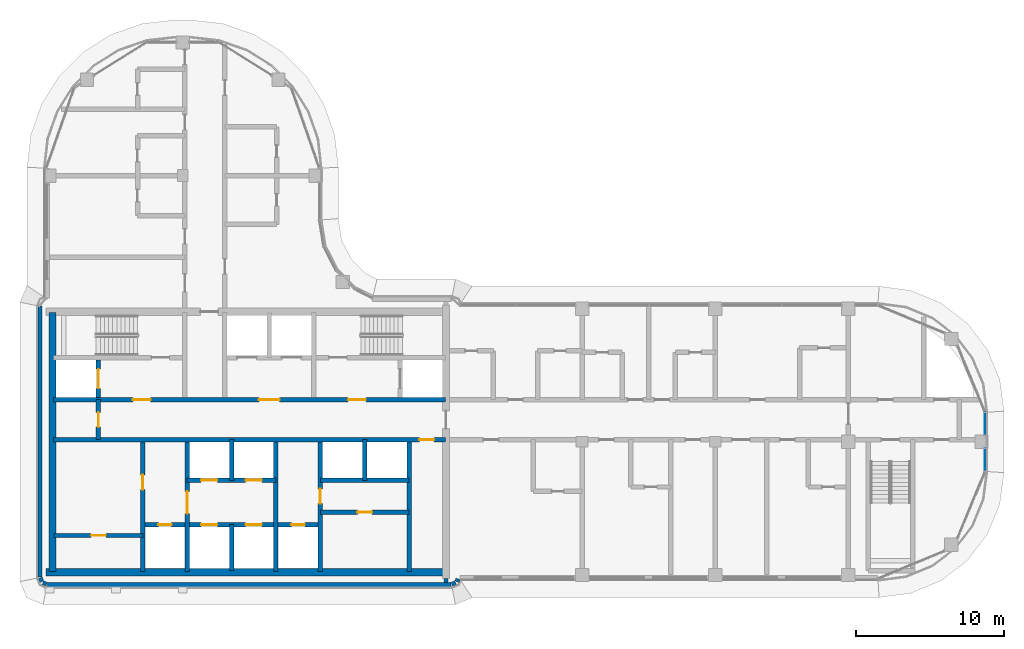
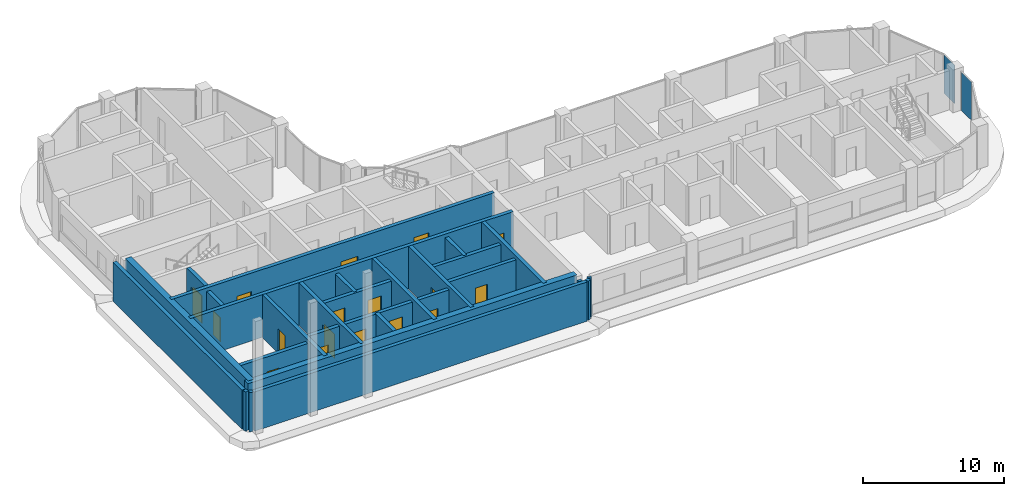
# One storey, part 10 of 20: 26 walls, 17 doors, 2 plates, 17 openings, 2 elements without a shape of their own.
"""IFC4 building model written with IfcOpenShell, lengths in metres."""

from ifc_helpers import new_model, si_unit, direction, frame, frame_2d, origin, origin_2d, place, context, subcontext, project, spatial, rectangle, extrude, material, layer, layer_set, type_object, element, fill, aggregate, save


model = new_model("IFC4")

# Units and contexts
model_context = context("Model", 3, precision=1e-05, world=origin(), true_north=direction((0.0, 1.0)))
body_context = subcontext(model_context, "Body", "Model", "MODEL_VIEW")
ifc_project = project(units=[si_unit("LENGTHUNIT", "METRE"), si_unit("AREAUNIT", "SQUARE_METRE"), si_unit("VOLUMEUNIT", "CUBIC_METRE"), si_unit("PLANEANGLEUNIT", "RADIAN"), si_unit("MASSUNIT", "GRAM", prefix="KILO")], contexts=[model_context])

# Site, building, storey
site_placement = place(None, origin())
site = spatial("IfcSite", under=ifc_project, at=site_placement, CompositionType="ELEMENT")
building_placement = place(site_placement, origin())
building = spatial("IfcBuilding", under=site, at=building_placement, Name="Ogive Portal Towers", CompositionType="ELEMENT")
storey_placement = place(building_placement, frame((0.0, 0.0, 214.300048828125)))
storey = spatial("IfcBuildingStorey", under=building, at=storey_placement, Name="L53", CompositionType="ELEMENT", Elevation=214.300048828125)

# Curtain wall, plate
ifc_material_1 = material(Name="Glass, clear low-iron insulated glazing", Category="glass")
curtain_wall_type = type_object("IfcCurtainWallType", Name="CW FRONT RIBBON 4500", PredefinedType="NOTDEFINED", material=ifc_material_1)
curtain_wall_1_placement = place(storey_placement, origin())
curtain_wall_1 = element("IfcCurtainWall", 1, at=curtain_wall_1_placement, inside=storey, type_object=curtain_wall_type, Name="A:L53:f23:cw0~0", PredefinedType="NOTDEFINED")
ifc_layer_1 = layer(ifc_material_1, 0.028076171875)
ifc_layer_set_1 = layer_set([ifc_layer_1], Name="CW PANEL IGU 28")
plate_type = type_object("IfcPlateType", Name="CW PANEL IGU 28", PredefinedType="CURTAIN_PANEL", material=ifc_layer_set_1)
plate_1_placement = place(storey_placement, frame((94.739990234375, 29.282958984375, 0.0), z_axis=(0.0, 0.0, 1.0), x_axis=(0.0, 1.0, 0.0)))
plate_1 = element("IfcPlate", 2, at=plate_1_placement, type_object=plate_type, Name="panel", PredefinedType="CURTAIN_PANEL", context=body_context, shape_type="SweptSolid", body=[
    extrude(rectangle(XDim=1.47412109375, YDim=0.028076171875, at=origin_2d()), origin(), (0.0, 0.0, 1.0), 3.340087890625),
])
aggregate(curtain_wall_1, [plate_1])

curtain_wall_2_placement = place(storey_placement, origin())
curtain_wall_2 = element("IfcCurtainWall", 3, at=curtain_wall_2_placement, inside=storey, type_object=curtain_wall_type, Name="A:L53:f23:cw0~1", PredefinedType="NOTDEFINED")
plate_2_placement = place(storey_placement, frame((94.739990234375, 31.717041015625, 0.0), z_axis=(0.0, 0.0, 1.0), x_axis=(0.0, 1.0, 0.0)))
plate_2 = element("IfcPlate", 4, at=plate_2_placement, type_object=plate_type, Name="panel", PredefinedType="CURTAIN_PANEL", context=body_context, shape_type="SweptSolid", body=[
    extrude(rectangle(XDim=1.47412109375, YDim=0.028076171875, at=origin_2d()), origin(), (0.0, 0.0, 1.0), 3.340087890625),
])
aggregate(curtain_wall_2, [plate_2])

# Wall, opening, door
ifc_material_2 = material(Name="Concrete C60/75", Category="concrete")
ifc_layer_2 = layer(ifc_material_2, 0.300048828125)
ifc_layer_set_2 = layer_set([ifc_layer_2], Name="CORE WALL 300 C60")
wall_type_1 = type_object("IfcWallType", Name="CORE WALL 300 C60", PredefinedType="SHEAR", material=ifc_layer_set_2)
wall_1_placement = place(storey_placement, frame((37.800048828125, 21.75, 0.0), z_axis=(0.0, 0.0, 1.0), x_axis=(0.0, 1.0, 0.0)))
wall_1 = element("IfcWall", 5, at=wall_1_placement, inside=storey, type_object=wall_type_1, Name="Core wall X1 L53", PredefinedType="SHEAR", context=body_context, shape_type="SweptSolid", body=[
    extrude(rectangle(XDim=8.75, YDim=0.300048828125, at=frame_2d((4.375, 0.0))), origin(), (0.0, 0.0, 1.0), 3.699951171875),
])
opening_1_placement = place(wall_1_placement, frame((5.52490234375, 0.0, 0.0)))
opening_1 = element("IfcOpeningElement", 6, at=opening_1_placement, cuts=wall_1, Name="Opening D24-020", PredefinedType="OPENING", context=body_context, shape_type="SweptSolid", body=[
    extrude(rectangle(XDim=1.0, YDim=2.10009765625, at=frame_2d((0.5, 1.050048828125))), frame((0.0, 0.16015625, 0.0), z_axis=(0.0, -1.0, 0.0), x_axis=(1.0, 0.0, 0.0)), (0.0, 0.0, 1.0), 0.320068359375),
])
ifc_material_3 = material(Name="Steel fire door", Category="steel")
door_type_1 = type_object("IfcDoorType", Name="DT-SWING-1000x2100-FD90S", OperationType="SINGLE_SWING_LEFT", PredefinedType="DOOR", material=ifc_material_3)
door_1_placement = place(opening_1_placement, origin())
door_1 = element("IfcDoor", 7, at=door_1_placement, inside=storey, type_object=door_type_1, Name="Door D24-020", OperationType="SINGLE_SWING_LEFT", OverallHeight=2.10009765625, OverallWidth=1.0, PredefinedType="DOOR", context=body_context, shape_type="SweptSolid", body=[
    extrude(rectangle(XDim=1.0, YDim=2.10009765625, at=frame_2d((0.5, 1.050048828125))), frame((0.0, 0.02490234375, 0.0), z_axis=(0.0, -1.0, 0.0), x_axis=(1.0, 0.0, 0.0)), (0.0, 0.0, 1.0), 0.050048828125),
])
fill(opening_1, door_1)

wall_2_placement = place(storey_placement, frame((40.800048828125, 21.75, 0.0), z_axis=(0.0, 0.0, 1.0), x_axis=(0.0, 1.0, 0.0)))
wall_2 = element("IfcWall", 8, at=wall_2_placement, inside=storey, type_object=wall_type_1, Name="Core wall X2 L53", PredefinedType="SHEAR", context=body_context, shape_type="SweptSolid", body=[
    extrude(rectangle(XDim=8.75, YDim=0.300048828125, at=frame_2d((4.375, 0.0))), origin(), (0.0, 0.0, 1.0), 3.699951171875),
])
opening_2_placement = place(wall_2_placement, frame((3.89990234375, 0.0, 0.0)))
opening_2 = element("IfcOpeningElement", 9, at=opening_2_placement, cuts=wall_2, Name="Opening D24-001", PredefinedType="OPENING", context=body_context, shape_type="SweptSolid", body=[
    extrude(rectangle(XDim=1.5, YDim=2.10009765625, at=frame_2d((0.75, 1.050048828125))), frame((0.0, 0.16015625, 0.0), z_axis=(0.0, -1.0, 0.0), x_axis=(1.0, 0.0, 0.0)), (0.0, 0.0, 1.0), 0.320068359375),
])
door_type_2 = type_object("IfcDoorType", Name="DT-SWING-1500x2100-FD90S", OperationType="SINGLE_SWING_LEFT", PredefinedType="DOOR", material=ifc_material_3)
door_2_placement = place(opening_2_placement, origin())
door_2 = element("IfcDoor", 10, at=door_2_placement, inside=storey, type_object=door_type_2, Name="Door D24-001", OperationType="SINGLE_SWING_RIGHT", OverallHeight=2.10009765625, OverallWidth=1.5, PredefinedType="DOOR", context=body_context, shape_type="SweptSolid", body=[
    extrude(rectangle(XDim=1.5, YDim=2.10009765625, at=frame_2d((0.75, 1.050048828125))), frame((0.0, 0.02490234375, 0.0), z_axis=(0.0, -1.0, 0.0), x_axis=(1.0, 0.0, 0.0)), (0.0, 0.0, 1.0), 0.050048828125),
])
fill(opening_2, door_2)

# Wall
wall_3_placement = place(storey_placement, frame((46.800048828125, 21.75, 0.0), z_axis=(0.0, 0.0, 1.0), x_axis=(0.0, 1.0, 0.0)))
element("IfcWall", 11, at=wall_3_placement, inside=storey, type_object=wall_type_1, Name="Core wall X3 L53", PredefinedType="SHEAR", context=body_context, shape_type="SweptSolid", body=[
    extrude(rectangle(XDim=8.75, YDim=0.300048828125, at=frame_2d((4.375, 0.0))), origin(), (0.0, 0.0, 1.0), 3.699951171875),
])

# Wall, opening, door
wall_4_placement = place(storey_placement, frame((49.800048828125, 21.75, 0.0), z_axis=(0.0, 0.0, 1.0), x_axis=(0.0, 1.0, 0.0)))
wall_4 = element("IfcWall", 12, at=wall_4_placement, inside=storey, type_object=wall_type_1, Name="Core wall X4 L53", PredefinedType="SHEAR", context=body_context, shape_type="SweptSolid", body=[
    extrude(rectangle(XDim=8.75, YDim=0.300048828125, at=frame_2d((4.375, 0.0))), origin(), (0.0, 0.0, 1.0), 3.699951171875),
])
opening_3_placement = place(wall_4_placement, frame((4.574951171875, 0.0, 0.0)))
opening_3 = element("IfcOpeningElement", 13, at=opening_3_placement, cuts=wall_4, Name="Opening D24-022", PredefinedType="OPENING", context=body_context, shape_type="SweptSolid", body=[
    extrude(rectangle(XDim=1.0, YDim=2.10009765625, at=frame_2d((0.5, 1.050048828125))), frame((0.0, 0.16015625, 0.0), z_axis=(0.0, -1.0, 0.0), x_axis=(1.0, 0.0, 0.0)), (0.0, 0.0, 1.0), 0.320068359375),
])
door_3_placement = place(opening_3_placement, origin())
door_3 = element("IfcDoor", 14, at=door_3_placement, inside=storey, type_object=door_type_1, Name="Door D24-022", OperationType="SINGLE_SWING_LEFT", OverallHeight=2.10009765625, OverallWidth=1.0, PredefinedType="DOOR", context=body_context, shape_type="SweptSolid", body=[
    extrude(rectangle(XDim=1.0, YDim=2.10009765625, at=frame_2d((0.5, 1.050048828125))), frame((0.0, 0.02490234375, 0.0), z_axis=(0.0, -1.0, 0.0), x_axis=(1.0, 0.0, 0.0)), (0.0, 0.0, 1.0), 0.050048828125),
])
fill(opening_3, door_3)

# Wall
wall_5_placement = place(storey_placement, frame((55.800048828125, 21.75, 0.0), z_axis=(0.0, 0.0, 1.0), x_axis=(0.0, 1.0, 0.0)))
element("IfcWall", 15, at=wall_5_placement, inside=storey, type_object=wall_type_1, Name="Core wall X5 L53", PredefinedType="SHEAR", context=body_context, shape_type="SweptSolid", body=[
    extrude(rectangle(XDim=8.75, YDim=0.300048828125, at=frame_2d((4.375, 0.0))), origin(), (0.0, 0.0, 1.0), 3.699951171875),
])

# Wall, opening, door
wall_6_placement = place(storey_placement, frame((31.75, 30.64990234375, 0.0), z_axis=(0.0, 0.0, 1.0), x_axis=(1.0, 0.0, 0.0)))
wall_6 = element("IfcWall", 16, at=wall_6_placement, inside=storey, type_object=wall_type_1, Name="Core wall Y1 L53", PredefinedType="SHEAR", context=body_context, shape_type="SweptSolid", body=[
    extrude(rectangle(XDim=26.5, YDim=0.300048828125, at=frame_2d((13.25, 0.0))), origin(), (0.0, 0.0, 1.0), 3.699951171875),
])
opening_4_placement = place(wall_6_placement, frame((24.75, 0.0, 0.0)))
opening_4 = element("IfcOpeningElement", 17, at=opening_4_placement, cuts=wall_6, Name="Opening D24-009", PredefinedType="OPENING", context=body_context, shape_type="SweptSolid", body=[
    extrude(rectangle(XDim=1.0, YDim=2.10009765625, at=frame_2d((0.5, 1.050048828125))), frame((0.0, 0.16015625, 0.0), z_axis=(0.0, -1.0, 0.0), x_axis=(1.0, 0.0, 0.0)), (0.0, 0.0, 1.0), 0.320068359375),
])
door_4_placement = place(opening_4_placement, origin())
door_4 = element("IfcDoor", 18, at=door_4_placement, inside=storey, type_object=door_type_1, Name="Door D24-009", OperationType="SINGLE_SWING_LEFT", OverallHeight=2.10009765625, OverallWidth=1.0, PredefinedType="DOOR", context=body_context, shape_type="SweptSolid", body=[
    extrude(rectangle(XDim=1.0, YDim=2.10009765625, at=frame_2d((0.5, 1.050048828125))), frame((0.0, 0.02490234375, 0.0), z_axis=(0.0, -1.0, 0.0), x_axis=(1.0, 0.0, 0.0)), (0.0, 0.0, 1.0), 0.050048828125),
])
fill(opening_4, door_4)

# Wall, openings, doors
wall_7_placement = place(storey_placement, frame((31.75, 33.35009765625, 0.0), z_axis=(0.0, 0.0, 1.0), x_axis=(1.0, 0.0, 0.0)))
wall_7 = element("IfcWall", 19, at=wall_7_placement, inside=storey, type_object=wall_type_1, Name="Core wall Y2 L53", PredefinedType="SHEAR", context=body_context, shape_type="SweptSolid", body=[
    extrude(rectangle(XDim=26.5, YDim=0.300048828125, at=frame_2d((13.25, 0.0))), origin(), (0.0, 0.0, 1.0), 3.699951171875),
])
opening_5_placement = place(wall_7_placement, frame((13.89990234375, 0.0, 0.0)))
opening_5 = element("IfcOpeningElement", 20, at=opening_5_placement, cuts=wall_7, Name="Opening D24-002", PredefinedType="OPENING", context=body_context, shape_type="SweptSolid", body=[
    extrude(rectangle(XDim=1.39990234375, YDim=2.10009765625, at=frame_2d((0.699951171875, 1.050048828125))), frame((0.0, 0.16015625, 0.0), z_axis=(0.0, -1.0, 0.0), x_axis=(1.0, 0.0, 0.0)), (0.0, 0.0, 1.0), 0.320068359375),
])
opening_6_placement = place(wall_7_placement, frame((5.375, 0.0, 0.0)))
opening_6 = element("IfcOpeningElement", 21, at=opening_6_placement, cuts=wall_7, Name="Opening D24-003", PredefinedType="OPENING", context=body_context, shape_type="SweptSolid", body=[
    extrude(rectangle(XDim=1.199951171875, YDim=2.10009765625, at=frame_2d((0.60009765625, 1.050048828125))), frame((0.0, 0.16015625, 0.0), z_axis=(0.0, -1.0, 0.0), x_axis=(1.0, 0.0, 0.0)), (0.0, 0.0, 1.0), 0.320068359375),
])
opening_7_placement = place(wall_7_placement, frame((19.925048828125, 0.0, 0.0)))
opening_7 = element("IfcOpeningElement", 22, at=opening_7_placement, cuts=wall_7, Name="Opening D24-004", PredefinedType="OPENING", context=body_context, shape_type="SweptSolid", body=[
    extrude(rectangle(XDim=1.199951171875, YDim=2.10009765625, at=frame_2d((0.60009765625, 1.050048828125))), frame((0.0, 0.16015625, 0.0), z_axis=(0.0, -1.0, 0.0), x_axis=(1.0, 0.0, 0.0)), (0.0, 0.0, 1.0), 0.320068359375),
])
door_type_3 = type_object("IfcDoorType", Name="DT-SWING-1200x2100-FD90S", OperationType="SINGLE_SWING_LEFT", PredefinedType="DOOR", material=ifc_material_3)
door_5_placement = place(opening_6_placement, origin())
door_5 = element("IfcDoor", 23, at=door_5_placement, inside=storey, type_object=door_type_3, Name="Door D24-003", OperationType="SINGLE_SWING_LEFT", OverallHeight=2.10009765625, OverallWidth=1.199951171875, PredefinedType="DOOR", context=body_context, shape_type="SweptSolid", body=[
    extrude(rectangle(XDim=1.199951171875, YDim=2.10009765625, at=frame_2d((0.60009765625, 1.050048828125))), frame((0.0, 0.02490234375, 0.0), z_axis=(0.0, -1.0, 0.0), x_axis=(1.0, 0.0, 0.0)), (0.0, 0.0, 1.0), 0.050048828125),
])
fill(opening_6, door_5)
door_6_placement = place(opening_7_placement, origin())
door_6 = element("IfcDoor", 24, at=door_6_placement, inside=storey, type_object=door_type_3, Name="Door D24-004", OperationType="SINGLE_SWING_RIGHT", OverallHeight=2.10009765625, OverallWidth=1.199951171875, PredefinedType="DOOR", context=body_context, shape_type="SweptSolid", body=[
    extrude(rectangle(XDim=1.199951171875, YDim=2.10009765625, at=frame_2d((0.60009765625, 1.050048828125))), frame((0.0, 0.02490234375, 0.0), z_axis=(0.0, -1.0, 0.0), x_axis=(1.0, 0.0, 0.0)), (0.0, 0.0, 1.0), 0.050048828125),
])
fill(opening_7, door_6)
door_type_4 = type_object("IfcDoorType", Name="DT-SWING-1400x2100-FD90S", OperationType="SINGLE_SWING_LEFT", PredefinedType="DOOR", material=ifc_material_3)
door_7_placement = place(opening_5_placement, origin())
door_7 = element("IfcDoor", 25, at=door_7_placement, inside=storey, type_object=door_type_4, Name="Door D24-002", OperationType="SINGLE_SWING_RIGHT", OverallHeight=2.10009765625, OverallWidth=1.39990234375, PredefinedType="DOOR", context=body_context, shape_type="SweptSolid", body=[
    extrude(rectangle(XDim=1.39990234375, YDim=2.10009765625, at=frame_2d((0.699951171875, 1.050048828125))), frame((0.0, 0.02490234375, 0.0), z_axis=(0.0, -1.0, 0.0), x_axis=(1.0, 0.0, 0.0)), (0.0, 0.0, 1.0), 0.050048828125),
])
fill(opening_5, door_7)

# Wall, opening, door
wall_8_placement = place(storey_placement, frame((34.800048828125, 33.5, 0.0), z_axis=(0.0, 0.0, 1.0), x_axis=(0.0, 1.0, 0.0)))
wall_8 = element("IfcWall", 26, at=wall_8_placement, inside=storey, type_object=wall_type_1, Name="Core wall X8 L53", PredefinedType="SHEAR", context=body_context, shape_type="SweptSolid", body=[
    extrude(rectangle(XDim=2.550048828125, YDim=0.300048828125, at=frame_2d((1.27490234375, 0.0))), origin(), (0.0, 0.0, 1.0), 3.699951171875),
])
opening_8_placement = place(wall_8_placement, frame((0.625, 0.0, 0.0)))
opening_8 = element("IfcOpeningElement", 27, at=opening_8_placement, cuts=wall_8, Name="Opening D24-018", PredefinedType="OPENING", context=body_context, shape_type="SweptSolid", body=[
    extrude(rectangle(XDim=1.300048828125, YDim=2.39990234375, at=frame_2d((0.64990234375, 1.199951171875))), frame((0.0, 0.16015625, 0.0), z_axis=(0.0, -1.0, 0.0), x_axis=(1.0, 0.0, 0.0)), (0.0, 0.0, 1.0), 0.320068359375),
])
ifc_material_4 = material(Name="Stainless steel", Category="steel")
door_type_5 = type_object("IfcDoorType", Name="DT-LD-1300x2400", OperationType="SLIDING_TO_LEFT", PredefinedType="DOOR", material=ifc_material_4)
door_8_placement = place(opening_8_placement, origin())
door_8 = element("IfcDoor", 28, at=door_8_placement, inside=storey, type_object=door_type_5, Name="Door D24-018", OperationType="SLIDING_TO_LEFT", OverallHeight=2.39990234375, OverallWidth=1.300048828125, PredefinedType="DOOR", context=body_context, shape_type="SweptSolid", body=[
    extrude(rectangle(XDim=1.300048828125, YDim=2.39990234375, at=frame_2d((0.64990234375, 1.199951171875))), frame((0.0, 0.02490234375, 0.0), z_axis=(0.0, -1.0, 0.0), x_axis=(1.0, 0.0, 0.0)), (0.0, 0.0, 1.0), 0.050048828125),
])
fill(opening_8, door_8)

# Walls
ifc_layer_3 = layer(ifc_material_2, 0.5)
ifc_layer_set_3 = layer_set([ifc_layer_3], Name="CORE WALL 500 C60")
wall_type_2 = type_object("IfcWallType", Name="CORE WALL 500 C60", PredefinedType="SHEAR", material=ifc_layer_set_3)
wall_9_placement = place(storey_placement, frame((31.699951171875, 21.75, 0.0), z_axis=(0.0, 0.0, 1.0), x_axis=(0.0, 1.0, 0.0)))
element("IfcWall", 29, at=wall_9_placement, inside=storey, type_object=wall_type_2, Name="Core wall W L53", PredefinedType="SHEAR", context=body_context, shape_type="SweptSolid", body=[
    extrude(rectangle(XDim=17.5, YDim=0.5, at=frame_2d((8.75, 0.0))), origin(), (0.0, 0.0, 1.0), 3.699951171875),
])
wall_10_placement = place(storey_placement, frame((31.25, 21.699951171875, 0.0), z_axis=(0.0, 0.0, 1.0), x_axis=(1.0, 0.0, 0.0)))
element("IfcWall", 30, at=wall_10_placement, inside=storey, type_object=wall_type_2, Name="Core wall S L53", PredefinedType="SHEAR", context=body_context, shape_type="SweptSolid", body=[
    extrude(rectangle(XDim=27.0, YDim=0.5, at=frame_2d((13.5, 0.0))), origin(), (0.0, 0.0, 1.0), 3.699951171875),
])
ifc_material_5 = material(Name="Limestone cladding on lightweight block wall", Category="masonry")
ifc_layer_4 = layer(ifc_material_5, 0.300048828125)
ifc_layer_set_4 = layer_set([ifc_layer_4], Name="EXTERNAL WALL 300 STONE")
wall_type_3 = type_object("IfcWallType", Name="EXTERNAL WALL 300 STONE", PredefinedType="SOLIDWALL", material=ifc_layer_set_4)
wall_11_placement = place(storey_placement, frame((30.85009765625, 39.669921875, 0.0), z_axis=(0.0, 0.0, 1.0), x_axis=(0.0, -1.0, 0.0)))
element("IfcWall", 31, at=wall_11_placement, inside=storey, type_object=wall_type_3, Name="A:L53:f14:r0:wall", PredefinedType="SOLIDWALL", context=body_context, shape_type="SweptSolid", body=[
    extrude(rectangle(XDim=18.310302734375, YDim=0.300048828125, at=frame_2d((9.1552734375, 0.0))), origin(), (0.0, 0.0, 1.0), 3.39990234375),
])
for number, where, z_axis, x_axis, name in (
    (32, (30.861328125, 21.30224609375, 0.0), (0.0, 0.0, 1.0), (0.38297812142, -0.923757413239, 0.0), "A:L53:f15:r0:wall"),
    (33, (31.0478515625, 20.966796875, 0.0), (0.0, 0.0, 1.0), (0.923757413239, -0.38297812142, 0.0), "A:L53:f16:r0:wall"),
):
    element("IfcWall", number, at=place(storey_placement, frame(where, z_axis=z_axis, x_axis=x_axis)), inside=storey, type_object=wall_type_3, Name=name, PredefinedType="SOLIDWALL", context=body_context, shape_type="SweptSolid", body=[
        extrude(rectangle(XDim=0.275390625, YDim=0.300048828125, at=frame_2d((0.1376953125, 0.0))), origin(), (0.0, 0.0, 1.0), 3.39990234375),
    ])
wall_12_placement = place(storey_placement, frame((31.359619140625, 20.85009765625, 0.0), z_axis=(0.0, 0.0, 1.0), x_axis=(1.0, 0.0, 0.0)))
element("IfcWall", 34, at=wall_12_placement, inside=storey, type_object=wall_type_3, Name="A:L53:f17:r0:wall", PredefinedType="SOLIDWALL", context=body_context, shape_type="SweptSolid", body=[
    extrude(rectangle(XDim=27.28076171875, YDim=0.300048828125, at=frame_2d((13.640380859375, 0.0))), origin(), (0.0, 0.0, 1.0), 3.39990234375),
])
wall_13_placement = place(storey_placement, frame((58.69775390625, 20.861328125, 0.0), z_axis=(0.0, 0.0, 1.0), x_axis=(0.923757413239, 0.38297812142, 0.0)))
element("IfcWall", 35, at=wall_13_placement, inside=storey, type_object=wall_type_3, Name="A:L53:f18:r0:wall", PredefinedType="SOLIDWALL", context=body_context, shape_type="SweptSolid", body=[
    extrude(rectangle(XDim=0.275390625, YDim=0.300048828125, at=frame_2d((0.1376953125, 0.0))), origin(), (0.0, 0.0, 1.0), 3.39990234375),
])
wall_14_placement = place(storey_placement, frame((59.033203125, 21.0478515625, 0.0), z_axis=(0.0, 0.0, 1.0), x_axis=(0.383262727373, 0.923639367831, 0.0)))
element("IfcWall", 36, at=wall_14_placement, inside=storey, type_object=wall_type_3, Name="A:L53:f19:r0:wall", PredefinedType="SOLIDWALL", context=body_context, shape_type="SweptSolid", body=[
    extrude(rectangle(XDim=0.205078125, YDim=0.300048828125, at=frame_2d((0.1025390625, 0.0))), origin(), (0.0, 0.0, 1.0), 3.39990234375),
])

# Wall, opening, door
ifc_material_6 = material(Name="Gypsum board partition on steel studs", Category="steel")
ifc_layer_5 = layer(ifc_material_6, 0.300048828125)
ifc_layer_set_5 = layer_set([ifc_layer_5], Name="WT-PART-300")
wall_type_4 = type_object("IfcWallType", Name="WT-PART-300", PredefinedType="PARTITIONING", material=ifc_layer_set_5)
wall_15_placement = place(storey_placement, frame((31.800048828125, 24.173095703125, 0.0), z_axis=(0.0, 0.0, 1.0), x_axis=(1.0, 0.0, 0.0)))
wall_15 = element("IfcWall", 37, at=wall_15_placement, inside=storey, type_object=wall_type_4, Name="Wall pw:001:L53", PredefinedType="PARTITIONING", context=body_context, shape_type="SweptSolid", body=[
    extrude(rectangle(XDim=6.0, YDim=0.300048828125, at=frame_2d((3.0, 0.0))), origin(), (0.0, 0.0, 1.0), 3.39990234375),
])
opening_9_placement = place(wall_15_placement, frame((2.5, 0.0, 0.0)))
opening_9 = element("IfcOpeningElement", 38, at=opening_9_placement, cuts=wall_15, Name="Opening D24-021", PredefinedType="OPENING", context=body_context, shape_type="SweptSolid", body=[
    extrude(rectangle(XDim=1.0, YDim=2.10009765625, at=frame_2d((0.5, 1.050048828125))), frame((0.0, 0.16015625, 0.0), z_axis=(0.0, -1.0, 0.0), x_axis=(1.0, 0.0, 0.0)), (0.0, 0.0, 1.0), 0.320068359375),
])
door_type_6 = type_object("IfcDoorType", Name="DT-SWING-1000x2100-FD60S", OperationType="SINGLE_SWING_LEFT", PredefinedType="DOOR", material=ifc_material_3)
door_9_placement = place(opening_9_placement, origin())
door_9 = element("IfcDoor", 39, at=door_9_placement, inside=storey, type_object=door_type_6, Name="Riser access door D24-021", OperationType="SINGLE_SWING_RIGHT", OverallHeight=2.10009765625, OverallWidth=1.0, PredefinedType="DOOR", context=body_context, shape_type="SweptSolid", body=[
    extrude(rectangle(XDim=1.0, YDim=2.10009765625, at=frame_2d((0.5, 1.050048828125))), frame((0.0, 0.02490234375, 0.0), z_axis=(0.0, -1.0, 0.0), x_axis=(1.0, 0.0, 0.0)), (0.0, 0.0, 1.0), 0.050048828125),
])
fill(opening_9, door_9)

wall_16_placement = place(storey_placement, frame((49.800048828125, 25.75, 0.0), z_axis=(0.0, 0.0, 1.0), x_axis=(1.0, 0.0, 0.0)))
wall_16 = element("IfcWall", 40, at=wall_16_placement, inside=storey, type_object=wall_type_4, Name="Wall pw:003:L53", PredefinedType="PARTITIONING", context=body_context, shape_type="SweptSolid", body=[
    extrude(rectangle(XDim=6.0, YDim=0.300048828125, at=frame_2d((3.0, 0.0))), origin(), (0.0, 0.0, 1.0), 3.39990234375),
])
opening_10_placement = place(wall_16_placement, frame((2.5, 0.0, 0.0)))
opening_10 = element("IfcOpeningElement", 41, at=opening_10_placement, cuts=wall_16, Name="Opening D24-023", PredefinedType="OPENING", context=body_context, shape_type="SweptSolid", body=[
    extrude(rectangle(XDim=1.0, YDim=2.10009765625, at=frame_2d((0.5, 1.050048828125))), frame((0.0, 0.16015625, 0.0), z_axis=(0.0, -1.0, 0.0), x_axis=(1.0, 0.0, 0.0)), (0.0, 0.0, 1.0), 0.320068359375),
])
door_10_placement = place(opening_10_placement, origin())
door_10 = element("IfcDoor", 42, at=door_10_placement, inside=storey, type_object=door_type_6, Name="Door D24-023", OperationType="SINGLE_SWING_RIGHT", OverallHeight=2.10009765625, OverallWidth=1.0, PredefinedType="DOOR", context=body_context, shape_type="SweptSolid", body=[
    extrude(rectangle(XDim=1.0, YDim=2.10009765625, at=frame_2d((0.5, 1.050048828125))), frame((0.0, 0.02490234375, 0.0), z_axis=(0.0, -1.0, 0.0), x_axis=(1.0, 0.0, 0.0)), (0.0, 0.0, 1.0), 0.050048828125),
])
fill(opening_10, door_10)

# Wall
ifc_layer_6 = layer(ifc_material_6, 0.300048828125)
ifc_layer_set_6 = layer_set([ifc_layer_6], Name="WT-PART-300-EI 120")
wall_type_5 = type_object("IfcWallType", Name="WT-PART-300-EI 120", PredefinedType="PARTITIONING", material=ifc_layer_set_6)
wall_17_placement = place(storey_placement, frame((58.300048828125, 21.25, 0.0), z_axis=(0.0, 0.0, 1.0), x_axis=(0.0, -1.0, 0.0)))
element("IfcWall", 43, at=wall_17_placement, inside=storey, type_object=wall_type_5, Name="Wall L53:wc01", PredefinedType="PARTITIONING", context=body_context, shape_type="SweptSolid", body=[
    extrude(rectangle(XDim=0.239990234375, YDim=0.300048828125, at=frame_2d((0.1201171875, 0.0))), origin(), (0.0, 0.0, 1.0), 3.39990234375),
])

# Wall, openings, doors
ifc_material_7 = material(Name="Concrete C40/50", Category="concrete")
ifc_layer_7 = layer(ifc_material_7, 0.300048828125)
ifc_layer_set_7 = layer_set([ifc_layer_7], Name="WT-SHAFT-300")
wall_type_6 = type_object("IfcWallType", Name="WT-SHAFT-300", PredefinedType="SOLIDWALL", material=ifc_layer_set_7)
wall_18_placement = place(storey_placement, frame((37.800048828125, 24.89990234375, 0.0), z_axis=(0.0, 0.0, 1.0), x_axis=(1.0, 0.0, 0.0)))
wall_18 = element("IfcWall", 44, at=wall_18_placement, inside=storey, type_object=wall_type_6, Name="Wall pw:002:L53", PredefinedType="SOLIDWALL", context=body_context, shape_type="SweptSolid", body=[
    extrude(rectangle(XDim=12.0, YDim=0.300048828125, at=frame_2d((6.0, 0.0))), origin(), (0.0, 0.0, 1.0), 3.39990234375),
])
opening_11_placement = place(wall_18_placement, frame((1.050048828125, 0.0, 0.0)))
opening_11 = element("IfcOpeningElement", 45, at=opening_11_placement, cuts=wall_18, Name="Opening D24-007", PredefinedType="OPENING", context=body_context, shape_type="SweptSolid", body=[
    extrude(rectangle(XDim=0.89990234375, YDim=2.10009765625, at=frame_2d((0.449951171875, 1.050048828125))), frame((0.0, 0.16015625, 0.0), z_axis=(0.0, -1.0, 0.0), x_axis=(1.0, 0.0, 0.0)), (0.0, 0.0, 1.0), 0.320068359375),
])
opening_12_placement = place(wall_18_placement, frame((10.050048828125, 0.0, 0.0)))
opening_12 = element("IfcOpeningElement", 46, at=opening_12_placement, cuts=wall_18, Name="Opening D24-008", PredefinedType="OPENING", context=body_context, shape_type="SweptSolid", body=[
    extrude(rectangle(XDim=0.89990234375, YDim=2.10009765625, at=frame_2d((0.449951171875, 1.050048828125))), frame((0.0, 0.16015625, 0.0), z_axis=(0.0, -1.0, 0.0), x_axis=(1.0, 0.0, 0.0)), (0.0, 0.0, 1.0), 0.320068359375),
])
opening_13_placement = place(wall_18_placement, frame((3.949951171875, 0.0, 0.0)))
opening_13 = element("IfcOpeningElement", 47, at=opening_13_placement, cuts=wall_18, Name="Opening D24-012", PredefinedType="OPENING", context=body_context, shape_type="SweptSolid", body=[
    extrude(rectangle(XDim=1.10009765625, YDim=2.39990234375, at=frame_2d((0.550048828125, 1.199951171875))), frame((0.0, 0.16015625, 0.0), z_axis=(0.0, -1.0, 0.0), x_axis=(1.0, 0.0, 0.0)), (0.0, 0.0, 1.0), 0.320068359375),
])
opening_14_placement = place(wall_18_placement, frame((6.949951171875, 0.0, 0.0)))
opening_14 = element("IfcOpeningElement", 48, at=opening_14_placement, cuts=wall_18, Name="Opening D24-013", PredefinedType="OPENING", context=body_context, shape_type="SweptSolid", body=[
    extrude(rectangle(XDim=1.10009765625, YDim=2.39990234375, at=frame_2d((0.550048828125, 1.199951171875))), frame((0.0, 0.16015625, 0.0), z_axis=(0.0, -1.0, 0.0), x_axis=(1.0, 0.0, 0.0)), (0.0, 0.0, 1.0), 0.320068359375),
])
door_type_7 = type_object("IfcDoorType", Name="DT-LD-1100x2400", OperationType="SLIDING_TO_LEFT", PredefinedType="DOOR", material=ifc_material_4)
door_11_placement = place(opening_13_placement, origin())
door_11 = element("IfcDoor", 49, at=door_11_placement, inside=storey, type_object=door_type_7, Name="Door D24-012", OperationType="SLIDING_TO_LEFT", OverallHeight=2.39990234375, OverallWidth=1.10009765625, PredefinedType="DOOR", context=body_context, shape_type="SweptSolid", body=[
    extrude(rectangle(XDim=1.10009765625, YDim=2.39990234375, at=frame_2d((0.550048828125, 1.199951171875))), frame((0.0, 0.02490234375, 0.0), z_axis=(0.0, -1.0, 0.0), x_axis=(1.0, 0.0, 0.0)), (0.0, 0.0, 1.0), 0.050048828125),
])
fill(opening_13, door_11)
door_12_placement = place(opening_14_placement, origin())
door_12 = element("IfcDoor", 50, at=door_12_placement, inside=storey, type_object=door_type_7, Name="Door D24-013", OperationType="SLIDING_TO_LEFT", OverallHeight=2.39990234375, OverallWidth=1.10009765625, PredefinedType="DOOR", context=body_context, shape_type="SweptSolid", body=[
    extrude(rectangle(XDim=1.10009765625, YDim=2.39990234375, at=frame_2d((0.550048828125, 1.199951171875))), frame((0.0, 0.02490234375, 0.0), z_axis=(0.0, -1.0, 0.0), x_axis=(1.0, 0.0, 0.0)), (0.0, 0.0, 1.0), 0.050048828125),
])
fill(opening_14, door_12)
door_type_8 = type_object("IfcDoorType", Name="DT-SWING-900x2100-FD90S", OperationType="SINGLE_SWING_LEFT", PredefinedType="DOOR", material=ifc_material_3)
door_13_placement = place(opening_11_placement, origin())
door_13 = element("IfcDoor", 51, at=door_13_placement, inside=storey, type_object=door_type_8, Name="Riser access door D24-007", OperationType="SINGLE_SWING_LEFT", OverallHeight=2.10009765625, OverallWidth=0.89990234375, PredefinedType="DOOR", context=body_context, shape_type="SweptSolid", body=[
    extrude(rectangle(XDim=0.89990234375, YDim=2.10009765625, at=frame_2d((0.449951171875, 1.050048828125))), frame((0.0, 0.02490234375, 0.0), z_axis=(0.0, -1.0, 0.0), x_axis=(1.0, 0.0, 0.0)), (0.0, 0.0, 1.0), 0.050048828125),
])
fill(opening_11, door_13)
door_14_placement = place(opening_12_placement, origin())
door_14 = element("IfcDoor", 52, at=door_14_placement, inside=storey, type_object=door_type_8, Name="Riser access door D24-008", OperationType="SINGLE_SWING_RIGHT", OverallHeight=2.10009765625, OverallWidth=0.89990234375, PredefinedType="DOOR", context=body_context, shape_type="SweptSolid", body=[
    extrude(rectangle(XDim=0.89990234375, YDim=2.10009765625, at=frame_2d((0.449951171875, 1.050048828125))), frame((0.0, 0.02490234375, 0.0), z_axis=(0.0, -1.0, 0.0), x_axis=(1.0, 0.0, 0.0)), (0.0, 0.0, 1.0), 0.050048828125),
])
fill(opening_12, door_14)

wall_19_placement = place(storey_placement, frame((40.800048828125, 27.89990234375, 0.0), z_axis=(0.0, 0.0, 1.0), x_axis=(1.0, 0.0, 0.0)))
wall_19 = element("IfcWall", 53, at=wall_19_placement, inside=storey, type_object=wall_type_6, Name="Wall pw:004:L53", PredefinedType="SOLIDWALL", context=body_context, shape_type="SweptSolid", body=[
    extrude(rectangle(XDim=6.0, YDim=0.300048828125, at=frame_2d((3.0, 0.0))), origin(), (0.0, 0.0, 1.0), 3.39990234375),
])
opening_15_placement = place(wall_19_placement, frame((0.949951171875, 0.0, 0.0)))
opening_15 = element("IfcOpeningElement", 54, at=opening_15_placement, cuts=wall_19, Name="Opening D24-014", PredefinedType="OPENING", context=body_context, shape_type="SweptSolid", body=[
    extrude(rectangle(XDim=1.10009765625, YDim=2.39990234375, at=frame_2d((0.550048828125, 1.199951171875))), frame((0.0, 0.16015625, 0.0), z_axis=(0.0, -1.0, 0.0), x_axis=(1.0, 0.0, 0.0)), (0.0, 0.0, 1.0), 0.320068359375),
])
opening_16_placement = place(wall_19_placement, frame((3.949951171875, 0.0, 0.0)))
opening_16 = element("IfcOpeningElement", 55, at=opening_16_placement, cuts=wall_19, Name="Opening D24-015", PredefinedType="OPENING", context=body_context, shape_type="SweptSolid", body=[
    extrude(rectangle(XDim=1.10009765625, YDim=2.39990234375, at=frame_2d((0.550048828125, 1.199951171875))), frame((0.0, 0.16015625, 0.0), z_axis=(0.0, -1.0, 0.0), x_axis=(1.0, 0.0, 0.0)), (0.0, 0.0, 1.0), 0.320068359375),
])
door_15_placement = place(opening_15_placement, origin())
door_15 = element("IfcDoor", 56, at=door_15_placement, inside=storey, type_object=door_type_7, Name="Door D24-014", OperationType="SLIDING_TO_LEFT", OverallHeight=2.39990234375, OverallWidth=1.10009765625, PredefinedType="DOOR", context=body_context, shape_type="SweptSolid", body=[
    extrude(rectangle(XDim=1.10009765625, YDim=2.39990234375, at=frame_2d((0.550048828125, 1.199951171875))), frame((0.0, 0.02490234375, 0.0), z_axis=(0.0, -1.0, 0.0), x_axis=(1.0, 0.0, 0.0)), (0.0, 0.0, 1.0), 0.050048828125),
])
fill(opening_15, door_15)
door_16_placement = place(opening_16_placement, origin())
door_16 = element("IfcDoor", 57, at=door_16_placement, inside=storey, type_object=door_type_7, Name="Door D24-015", OperationType="SLIDING_TO_LEFT", OverallHeight=2.39990234375, OverallWidth=1.10009765625, PredefinedType="DOOR", context=body_context, shape_type="SweptSolid", body=[
    extrude(rectangle(XDim=1.10009765625, YDim=2.39990234375, at=frame_2d((0.550048828125, 1.199951171875))), frame((0.0, 0.02490234375, 0.0), z_axis=(0.0, -1.0, 0.0), x_axis=(1.0, 0.0, 0.0)), (0.0, 0.0, 1.0), 0.050048828125),
])
fill(opening_16, door_16)

# Wall
wall_20_placement = place(storey_placement, frame((49.800048828125, 27.89990234375, 0.0), z_axis=(0.0, 0.0, 1.0), x_axis=(1.0, 0.0, 0.0)))
element("IfcWall", 58, at=wall_20_placement, inside=storey, type_object=wall_type_6, Name="Wall pw:005:L53", PredefinedType="SOLIDWALL", context=body_context, shape_type="SweptSolid", body=[
    extrude(rectangle(XDim=6.0, YDim=0.300048828125, at=frame_2d((3.0, 0.0))), origin(), (0.0, 0.0, 1.0), 3.39990234375),
])

# Wall, opening, door
wall_21_placement = place(storey_placement, frame((34.800048828125, 30.64990234375, 0.0), z_axis=(0.0, 0.0, 1.0), x_axis=(0.0, 1.0, 0.0)))
wall_21 = element("IfcWall", 59, at=wall_21_placement, inside=storey, type_object=wall_type_6, Name="Wall pw:006:L53", PredefinedType="SOLIDWALL", context=body_context, shape_type="SweptSolid", body=[
    extrude(rectangle(XDim=2.7001953125, YDim=0.300048828125, at=frame_2d((1.35009765625, 0.0))), origin(), (0.0, 0.0, 1.0), 3.39990234375),
])
opening_17_placement = place(wall_21_placement, frame((0.85009765625, 0.0, 0.0)))
opening_17 = element("IfcOpeningElement", 60, at=opening_17_placement, cuts=wall_21, Name="Opening D24-024", PredefinedType="OPENING", context=body_context, shape_type="SweptSolid", body=[
    extrude(rectangle(XDim=1.0, YDim=2.10009765625, at=frame_2d((0.5, 1.050048828125))), frame((0.0, 0.16015625, 0.0), z_axis=(0.0, -1.0, 0.0), x_axis=(1.0, 0.0, 0.0)), (0.0, 0.0, 1.0), 0.320068359375),
])
door_17_placement = place(opening_17_placement, origin())
door_17 = element("IfcDoor", 61, at=door_17_placement, inside=storey, type_object=door_type_1, Name="Door D24-024", OperationType="SINGLE_SWING_LEFT", OverallHeight=2.10009765625, OverallWidth=1.0, PredefinedType="DOOR", context=body_context, shape_type="SweptSolid", body=[
    extrude(rectangle(XDim=1.0, YDim=2.10009765625, at=frame_2d((0.5, 1.050048828125))), frame((0.0, 0.02490234375, 0.0), z_axis=(0.0, -1.0, 0.0), x_axis=(1.0, 0.0, 0.0)), (0.0, 0.0, 1.0), 0.050048828125),
])
fill(opening_17, door_17)

# Walls
wall_22_placement = place(storey_placement, frame((43.800048828125, 21.800048828125, 0.0), z_axis=(0.0, 0.0, 1.0), x_axis=(0.0, 1.0, 0.0)))
element("IfcWall", 62, at=wall_22_placement, inside=storey, type_object=wall_type_6, Name="Wall pw:007:L53", PredefinedType="SOLIDWALL", context=body_context, shape_type="SweptSolid", body=[
    extrude(rectangle(XDim=3.099853515625, YDim=0.300048828125, at=frame_2d((1.5498046875, 0.0))), origin(), (0.0, 0.0, 1.0), 3.39990234375),
])
for number, where, z_axis, x_axis, name in (
    (63, (43.800048828125, 27.89990234375, 0.0), (0.0, 0.0, 1.0), (0.0, 1.0, 0.0), "Wall pw:008:L53"),
    (64, (52.800048828125, 27.89990234375, 0.0), (0.0, 0.0, 1.0), (0.0, 1.0, 0.0), "Wall pw:010:L53"),
):
    element("IfcWall", number, at=place(storey_placement, frame(where, z_axis=z_axis, x_axis=x_axis)), inside=storey, type_object=wall_type_6, Name=name, PredefinedType="SOLIDWALL", context=body_context, shape_type="SweptSolid", body=[
        extrude(rectangle(XDim=2.75, YDim=0.300048828125, at=frame_2d((1.375, 0.0))), origin(), (0.0, 0.0, 1.0), 3.39990234375),
    ])

save(model, "model.ifc")
